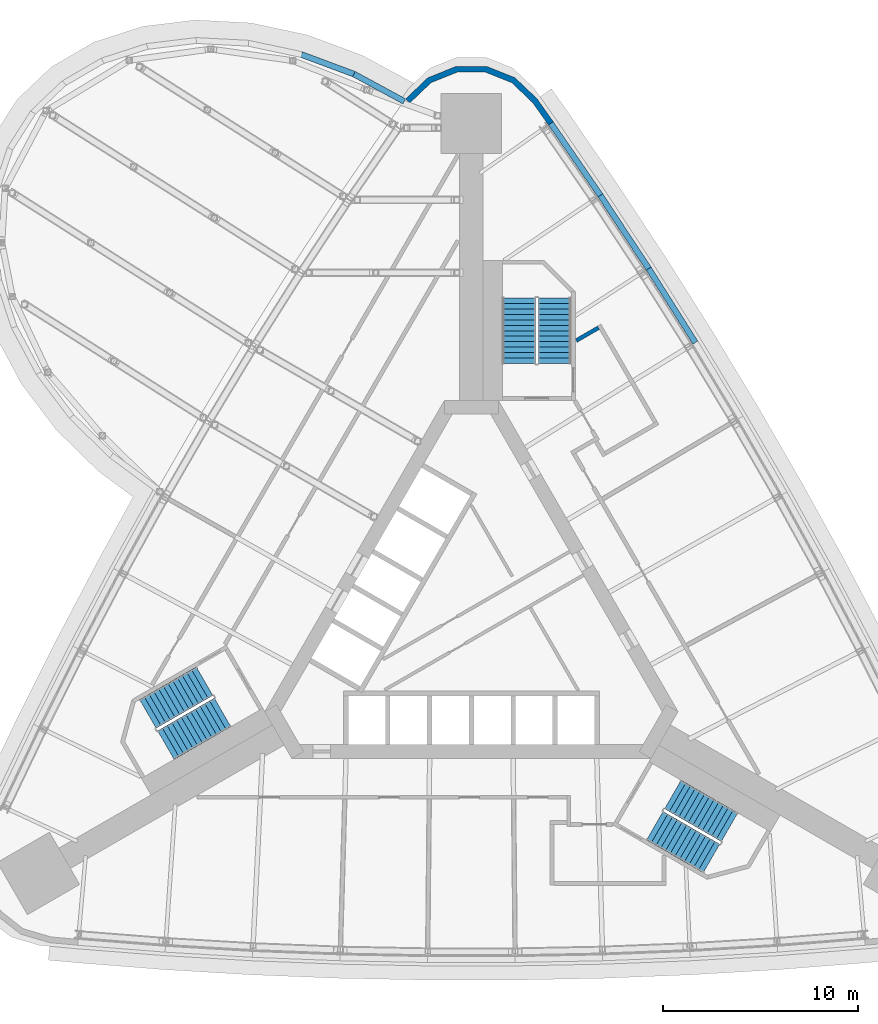
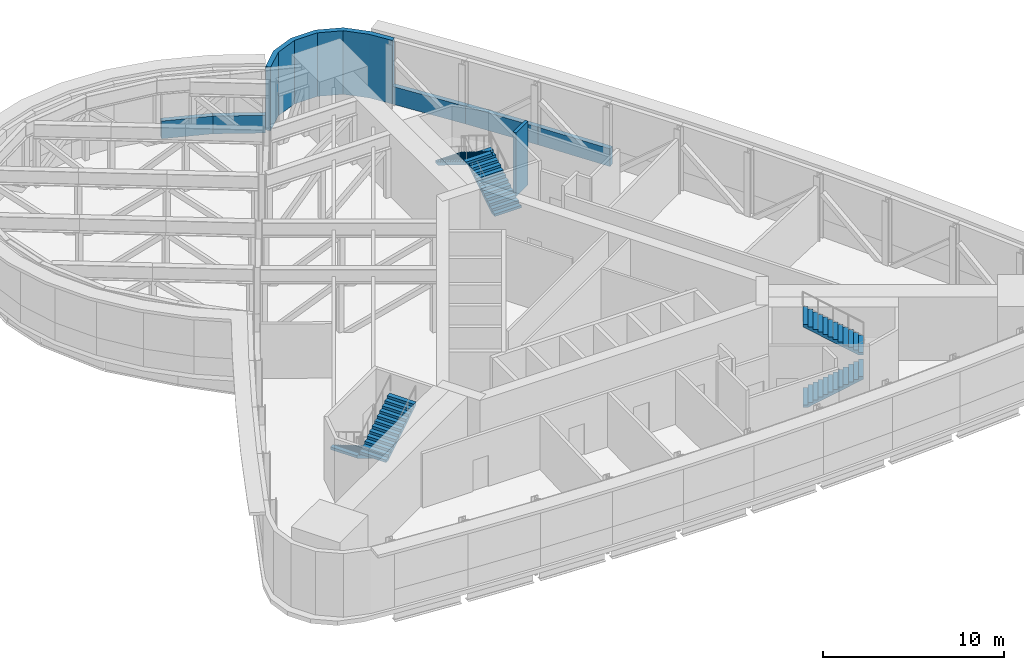
# One storey, part 9 of 11: 7 walls, 6 stair flights, 3 elements without a shape of their own.
"""IFC4 building model written with IfcOpenShell, lengths in metres."""

from ifc_helpers import new_model, si_unit, direction, frame, frame_2d, origin, place, context, subcontext, project, spatial, polyline, rectangle, outline, extrude, material, layer, layer_set, type_object, element, aggregate, save


model = new_model("IFC4")

# Units and contexts
model_context = context("Model", 3, precision=1e-05, world=origin(), true_north=direction((0.0, 1.0)))
body_context = subcontext(model_context, "Body", "Model", "MODEL_VIEW")
ifc_project = project(units=[si_unit("LENGTHUNIT", "METRE"), si_unit("AREAUNIT", "SQUARE_METRE"), si_unit("VOLUMEUNIT", "CUBIC_METRE"), si_unit("PLANEANGLEUNIT", "RADIAN"), si_unit("MASSUNIT", "GRAM", prefix="KILO")], contexts=[model_context])

# Site, building, storey
site_placement = place(None, origin())
site = spatial("IfcSite", under=ifc_project, at=site_placement, CompositionType="ELEMENT")
building_placement = place(site_placement, origin())
building = spatial("IfcBuilding", under=site, at=building_placement, Name="Noor Cloister Tower", CompositionType="ELEMENT")
storey_placement = place(building_placement, frame((0.0, 0.0, 87.0)))
storey = spatial("IfcBuildingStorey", under=building, at=storey_placement, Name="L22", CompositionType="ELEMENT", Elevation=87.0)

# Walls
ifc_material_1 = material(Name="Limestone", Category="masonry")
ifc_layer_1 = layer(ifc_material_1, 0.300048828125)
ifc_layer_set_1 = layer_set([ifc_layer_1], Name="Limestone cladding 300")
wall_type_1 = type_object("IfcWallType", Name="Limestone cladding 300", PredefinedType="NOTDEFINED", material=ifc_layer_set_1)
wall_1_placement = place(storey_placement, origin())
element("IfcWall", 1, at=wall_1_placement, inside=storey, type_object=wall_type_1, Name="Limestone pier cladding L22 3.1", PredefinedType="NOTDEFINED", context=body_context, shape_type="SweptSolid", body=[
    extrude(outline(polyline([(4.204833984375, 25.77978515625), (3.37548828125, 26.95263671875), (2.240478515625, 28.035400390625), (0.784423828125, 28.61865234375), (-0.784423828125, 28.61865234375), (-2.240478515625, 28.035400390625), (-3.37548828125, 26.95263671875), (-3.16845703125, 26.735595703125), (-2.075439453125, 27.778564453125), (-0.7265625, 28.31884765625), (0.7265625, 28.31884765625), (2.075439453125, 27.778564453125), (3.1474609375, 26.755615234375), (3.959716796875, 25.6064453125), (4.204833984375, 25.77978515625)])), origin(), (0.0, 0.0, 1.0), 4.300048828125),
])
ifc_material_2 = material(Name="Limestone", Category="masonry")
ifc_layer_2 = layer(ifc_material_2, 0.300048828125)
ifc_layer_set_2 = layer_set([ifc_layer_2], Name="Limestone panel wall 300")
wall_type_2 = type_object("IfcWallType", Name="Limestone panel wall 300", PredefinedType="NOTDEFINED", material=ifc_layer_set_2)
wall_2_placement = place(storey_placement, origin())
element("IfcWall", 2, at=wall_2_placement, inside=storey, type_object=wall_type_2, Name="Limestone panel wall L22 1.1", PredefinedType="NOTDEFINED", context=body_context, shape_type="SweptSolid", body=[
    extrude(outline(polyline([(-3.37548828125, 26.95263671875), (-5.96630859375, 28.357666015625), (-6.109130859375, 28.093994140625), (-3.5185546875, 26.68896484375), (-3.37548828125, 26.95263671875)])), origin(), (0.0, 0.0, 1.0), 1.199951171875),
])
wall_3_placement = place(storey_placement, origin())
element("IfcWall", 3, at=wall_3_placement, inside=storey, type_object=wall_type_2, Name="Limestone panel wall L22 1.2", PredefinedType="NOTDEFINED", context=body_context, shape_type="SweptSolid", body=[
    extrude(outline(polyline([(-5.96630859375, 28.357666015625), (-8.68701171875, 29.370849609375), (-8.791748046875, 29.08984375), (-6.07080078125, 28.076416015625), (-5.96630859375, 28.357666015625)])), origin(), (0.0, 0.0, 1.0), 1.199951171875),
])
wall_4_placement = place(storey_placement, origin())
element("IfcWall", 4, at=wall_4_placement, inside=storey, type_object=wall_type_2, Name="Limestone panel wall L22 4.7", PredefinedType="NOTDEFINED", context=body_context, shape_type="SweptSolid", body=[
    extrude(outline(polyline([(11.6318359375, 14.5087890625), (9.230224609375, 18.314208984375), (8.9765625, 18.154052734375), (11.378173828125, 14.3486328125), (11.6318359375, 14.5087890625)])), origin(), (0.0, 0.0, 1.0), 1.199951171875),
])
wall_5_placement = place(storey_placement, origin())
element("IfcWall", 5, at=wall_5_placement, inside=storey, type_object=wall_type_2, Name="Limestone panel wall L22 4.8", PredefinedType="NOTDEFINED", context=body_context, shape_type="SweptSolid", body=[
    extrude(outline(polyline([(9.230224609375, 18.314208984375), (6.754150390625, 22.07177734375), (6.503662109375, 21.90673828125), (8.979736328125, 18.149169921875), (9.230224609375, 18.314208984375)])), origin(), (0.0, 0.0, 1.0), 1.199951171875),
])
wall_6_placement = place(storey_placement, origin())
element("IfcWall", 6, at=wall_6_placement, inside=storey, type_object=wall_type_2, Name="Limestone panel wall L22 4.9", PredefinedType="NOTDEFINED", context=body_context, shape_type="SweptSolid", body=[
    extrude(outline(polyline([(6.754150390625, 22.07177734375), (4.204833984375, 25.77978515625), (3.95751953125, 25.60986328125), (6.507080078125, 21.90185546875), (6.754150390625, 22.07177734375)])), origin(), (0.0, 0.0, 1.0), 1.199951171875),
])
ifc_material_3 = material(Name="Concrete block wall, 200 mm", Category="concrete")
ifc_layer_3 = layer(ifc_material_3, 0.199951171875)
ifc_layer_set_3 = layer_set([ifc_layer_3], Name="Upper floor plant room wall 200")
wall_type_3 = type_object("IfcWallType", Name="Upper floor plant room wall 200", PredefinedType="PARTITIONING", material=ifc_layer_set_3)
wall_7_placement = place(storey_placement, frame((6.528564453125, 15.19189453125, 0.0), z_axis=(0.0, 0.0, 1.0), x_axis=(-0.866117824122, -0.499839889103, 0.0)))
element("IfcWall", 7, at=wall_7_placement, inside=storey, type_object=wall_type_3, Name="Upper floor plant room wall 200 L22 022", PredefinedType="PARTITIONING", context=body_context, shape_type="SweptSolid", body=[
    extrude(rectangle(XDim=1.31982421875, YDim=0.199951171875, at=frame_2d((0.659912109375, 0.0))), origin(), (0.0, 0.0, 1.0), 4.300048828125),
])

# Stair, stair flights
ifc_material_4 = material(Name="Concrete C40/50", Category="concrete")
stair_type = type_object("IfcStairType", Name="Exit stair 26 risers", PredefinedType="HALF_TURN_STAIR", material=ifc_material_4)
stair_1_placement = place(storey_placement, origin())
stair_1 = element("IfcStair", 8, at=stair_1_placement, inside=storey, type_object=stair_type, Name="Exit stair ST1 L22", PredefinedType="HALF_TURN_STAIR")
ifc_material_5 = material(Name="Concrete C40/50", Category="concrete")
stair_flight_type = type_object("IfcStairFlightType", Name="Exit stair flight", PredefinedType="STRAIGHT", material=ifc_material_5)
stair_flight_1_placement = place(storey_placement, frame((4.28564453125, 13.3564453125, 0.0), z_axis=(0.0, 0.0, 1.0), x_axis=(0.0, 1.0, 0.0)))
stair_flight_1 = element("IfcStairFlight", 9, at=stair_flight_1_placement, type_object=stair_flight_type, Name="ST1 flight 1", NumberOfRisers=13, NumberOfTreads=12, PredefinedType="STRAIGHT", RiserHeight=0.173076923, TreadLength=0.28, context=body_context, shape_type="SweptSolid", body=[
    extrude(outline(polyline([(0.0, 0.0), (0.0, 0.173095703125), (0.280029296875, 0.173095703125), (0.280029296875, 0.34619140625), (0.56005859375, 0.34619140625), (0.56005859375, 0.519287109375), (0.840087890625, 0.519287109375), (0.840087890625, 0.6923828125), (1.1201171875, 0.6923828125), (1.1201171875, 0.865478515625), (1.39990234375, 0.865478515625), (1.39990234375, 1.03857421875), (1.679931640625, 1.03857421875), (1.679931640625, 1.21142578125), (1.9599609375, 1.21142578125), (1.9599609375, 1.384521484375), (2.239990234375, 1.384521484375), (2.239990234375, 1.5576171875), (2.52001953125, 1.5576171875), (2.52001953125, 1.730712890625), (2.800048828125, 1.730712890625), (2.800048828125, 1.90380859375), (3.080078125, 1.90380859375), (3.080078125, 2.076904296875), (3.360107421875, 2.076904296875), (3.360107421875, 2.25), (3.360107421875, 1.900634765625), (0.28515625, 0.0), (0.0, 0.0)])), frame((0.0, 0.85009765625, 0.0), z_axis=(0.0, -1.0, 0.0), x_axis=(1.0, 0.0, 0.0)), (0.0, 0.0, 1.0), 1.699951171875),
])
stair_flight_2_placement = place(storey_placement, frame((2.435546875, 16.71630859375, 2.25), z_axis=(0.0, 0.0, 1.0), x_axis=(0.0, -1.0, 0.0)))
stair_flight_2 = element("IfcStairFlight", 10, at=stair_flight_2_placement, type_object=stair_flight_type, Name="ST1 flight 2", NumberOfRisers=13, NumberOfTreads=12, PredefinedType="STRAIGHT", RiserHeight=0.173076923, TreadLength=0.28, context=body_context, shape_type="SweptSolid", body=[
    extrude(outline(polyline([(0.0, 0.0), (0.0, 0.173095703125), (0.280029296875, 0.173095703125), (0.280029296875, 0.34619140625), (0.56005859375, 0.34619140625), (0.56005859375, 0.519287109375), (0.840087890625, 0.519287109375), (0.840087890625, 0.6923828125), (1.1201171875, 0.6923828125), (1.1201171875, 0.865478515625), (1.39990234375, 0.865478515625), (1.39990234375, 1.03857421875), (1.679931640625, 1.03857421875), (1.679931640625, 1.21142578125), (1.9599609375, 1.21142578125), (1.9599609375, 1.384521484375), (2.239990234375, 1.384521484375), (2.239990234375, 1.5576171875), (2.52001953125, 1.5576171875), (2.52001953125, 1.730712890625), (2.800048828125, 1.730712890625), (2.800048828125, 1.90380859375), (3.080078125, 1.90380859375), (3.080078125, 2.076904296875), (3.360107421875, 2.076904296875), (3.360107421875, 2.25), (3.360107421875, 1.900634765625), (0.28515625, 0.0), (0.0, 0.0)])), frame((0.0, 0.85009765625, 0.0), z_axis=(0.0, -1.0, 0.0), x_axis=(1.0, 0.0, 0.0)), (0.0, 0.0, 1.0), 1.699951171875),
])
aggregate(stair_1, [stair_flight_1, stair_flight_2])

stair_2_placement = place(storey_placement, origin())
stair_2 = element("IfcStair", 11, at=stair_2_placement, inside=storey, type_object=stair_type, Name="Exit stair ST2 L22", PredefinedType="HALF_TURN_STAIR")
stair_flight_3_placement = place(storey_placement, frame((-13.709716796875, -2.966796875, 0.0), z_axis=(0.0, 0.0, 1.0), x_axis=(-0.866025403784, -0.5, 0.0)))
stair_flight_3 = element("IfcStairFlight", 12, at=stair_flight_3_placement, type_object=stair_flight_type, Name="ST2 flight 1", NumberOfRisers=13, NumberOfTreads=12, PredefinedType="STRAIGHT", RiserHeight=0.173076923, TreadLength=0.28, context=body_context, shape_type="SweptSolid", body=[
    extrude(outline(polyline([(0.0, 0.0), (0.0, 0.173095703125), (0.280029296875, 0.173095703125), (0.280029296875, 0.34619140625), (0.56005859375, 0.34619140625), (0.56005859375, 0.519287109375), (0.840087890625, 0.519287109375), (0.840087890625, 0.6923828125), (1.1201171875, 0.6923828125), (1.1201171875, 0.865478515625), (1.39990234375, 0.865478515625), (1.39990234375, 1.03857421875), (1.679931640625, 1.03857421875), (1.679931640625, 1.21142578125), (1.9599609375, 1.21142578125), (1.9599609375, 1.384521484375), (2.239990234375, 1.384521484375), (2.239990234375, 1.5576171875), (2.52001953125, 1.5576171875), (2.52001953125, 1.730712890625), (2.800048828125, 1.730712890625), (2.800048828125, 1.90380859375), (3.080078125, 1.90380859375), (3.080078125, 2.076904296875), (3.360107421875, 2.076904296875), (3.360107421875, 2.25), (3.360107421875, 1.900634765625), (0.28515625, 0.0), (0.0, 0.0)])), frame((0.0, 0.85009765625, 0.0), z_axis=(0.0, -1.0, 0.0), x_axis=(1.0, 0.0, 0.0)), (0.0, 0.0, 1.0), 1.699951171875),
])
stair_flight_4_placement = place(storey_placement, frame((-15.694580078125, -6.248779296875, 2.25), z_axis=(0.0, 0.0, 1.0), x_axis=(0.866025403784, 0.5, 0.0)))
stair_flight_4 = element("IfcStairFlight", 13, at=stair_flight_4_placement, type_object=stair_flight_type, Name="ST2 flight 2", NumberOfRisers=13, NumberOfTreads=12, PredefinedType="STRAIGHT", RiserHeight=0.173076923, TreadLength=0.28, context=body_context, shape_type="SweptSolid", body=[
    extrude(outline(polyline([(0.0, 0.0), (0.0, 0.173095703125), (0.280029296875, 0.173095703125), (0.280029296875, 0.34619140625), (0.56005859375, 0.34619140625), (0.56005859375, 0.519287109375), (0.840087890625, 0.519287109375), (0.840087890625, 0.6923828125), (1.1201171875, 0.6923828125), (1.1201171875, 0.865478515625), (1.39990234375, 0.865478515625), (1.39990234375, 1.03857421875), (1.679931640625, 1.03857421875), (1.679931640625, 1.21142578125), (1.9599609375, 1.21142578125), (1.9599609375, 1.384521484375), (2.239990234375, 1.384521484375), (2.239990234375, 1.5576171875), (2.52001953125, 1.5576171875), (2.52001953125, 1.730712890625), (2.800048828125, 1.730712890625), (2.800048828125, 1.90380859375), (3.080078125, 1.90380859375), (3.080078125, 2.076904296875), (3.360107421875, 2.076904296875), (3.360107421875, 2.25), (3.360107421875, 1.900634765625), (0.28515625, 0.0), (0.0, 0.0)])), frame((0.0, 0.85009765625, 0.0), z_axis=(0.0, -1.0, 0.0), x_axis=(1.0, 0.0, 0.0)), (0.0, 0.0, 1.0), 1.699951171875),
])
aggregate(stair_2, [stair_flight_3, stair_flight_4])

stair_3_placement = place(storey_placement, origin())
stair_3 = element("IfcStair", 14, at=stair_3_placement, inside=storey, type_object=stair_type, Name="Exit stair ST3 L22", PredefinedType="HALF_TURN_STAIR")
stair_flight_5_placement = place(storey_placement, frame((9.424072265625, -10.3896484375, 0.0), z_axis=(0.0, 0.0, 1.0), x_axis=(0.866025403784, -0.5, 0.0)))
stair_flight_5 = element("IfcStairFlight", 15, at=stair_flight_5_placement, type_object=stair_flight_type, Name="ST3 flight 1", NumberOfRisers=13, NumberOfTreads=12, PredefinedType="STRAIGHT", RiserHeight=0.173076923, TreadLength=0.28, context=body_context, shape_type="SweptSolid", body=[
    extrude(outline(polyline([(0.0, 0.0), (0.0, 0.173095703125), (0.280029296875, 0.173095703125), (0.280029296875, 0.34619140625), (0.56005859375, 0.34619140625), (0.56005859375, 0.519287109375), (0.840087890625, 0.519287109375), (0.840087890625, 0.6923828125), (1.1201171875, 0.6923828125), (1.1201171875, 0.865478515625), (1.39990234375, 0.865478515625), (1.39990234375, 1.03857421875), (1.679931640625, 1.03857421875), (1.679931640625, 1.21142578125), (1.9599609375, 1.21142578125), (1.9599609375, 1.384521484375), (2.239990234375, 1.384521484375), (2.239990234375, 1.5576171875), (2.52001953125, 1.5576171875), (2.52001953125, 1.730712890625), (2.800048828125, 1.730712890625), (2.800048828125, 1.90380859375), (3.080078125, 1.90380859375), (3.080078125, 2.076904296875), (3.360107421875, 2.076904296875), (3.360107421875, 2.25), (3.360107421875, 1.900634765625), (0.28515625, 0.0), (0.0, 0.0)])), frame((0.0, 0.85009765625, 0.0), z_axis=(0.0, -1.0, 0.0), x_axis=(1.0, 0.0, 0.0)), (0.0, 0.0, 1.0), 1.699951171875),
])
stair_flight_6_placement = place(storey_placement, frame((13.259033203125, -10.467529296875, 2.25), z_axis=(0.0, 0.0, 1.0), x_axis=(-0.866025403784, 0.5, 0.0)))
stair_flight_6 = element("IfcStairFlight", 16, at=stair_flight_6_placement, type_object=stair_flight_type, Name="ST3 flight 2", NumberOfRisers=13, NumberOfTreads=12, PredefinedType="STRAIGHT", RiserHeight=0.173076923, TreadLength=0.28, context=body_context, shape_type="SweptSolid", body=[
    extrude(outline(polyline([(0.0, 0.0), (0.0, 0.173095703125), (0.280029296875, 0.173095703125), (0.280029296875, 0.34619140625), (0.56005859375, 0.34619140625), (0.56005859375, 0.519287109375), (0.840087890625, 0.519287109375), (0.840087890625, 0.6923828125), (1.1201171875, 0.6923828125), (1.1201171875, 0.865478515625), (1.39990234375, 0.865478515625), (1.39990234375, 1.03857421875), (1.679931640625, 1.03857421875), (1.679931640625, 1.21142578125), (1.9599609375, 1.21142578125), (1.9599609375, 1.384521484375), (2.239990234375, 1.384521484375), (2.239990234375, 1.5576171875), (2.52001953125, 1.5576171875), (2.52001953125, 1.730712890625), (2.800048828125, 1.730712890625), (2.800048828125, 1.90380859375), (3.080078125, 1.90380859375), (3.080078125, 2.076904296875), (3.360107421875, 2.076904296875), (3.360107421875, 2.25), (3.360107421875, 1.900634765625), (0.28515625, 0.0), (0.0, 0.0)])), frame((0.0, 0.85009765625, 0.0), z_axis=(0.0, -1.0, 0.0), x_axis=(1.0, 0.0, 0.0)), (0.0, 0.0, 1.0), 1.699951171875),
])
aggregate(stair_3, [stair_flight_5, stair_flight_6])

save(model, "model.ifc")
